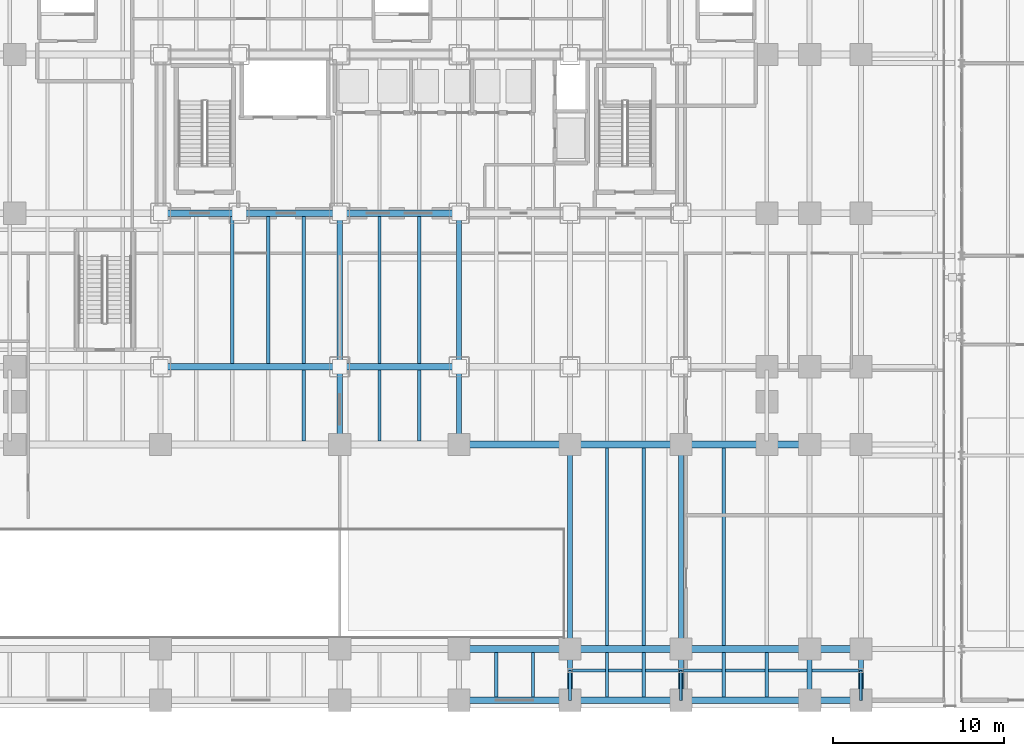
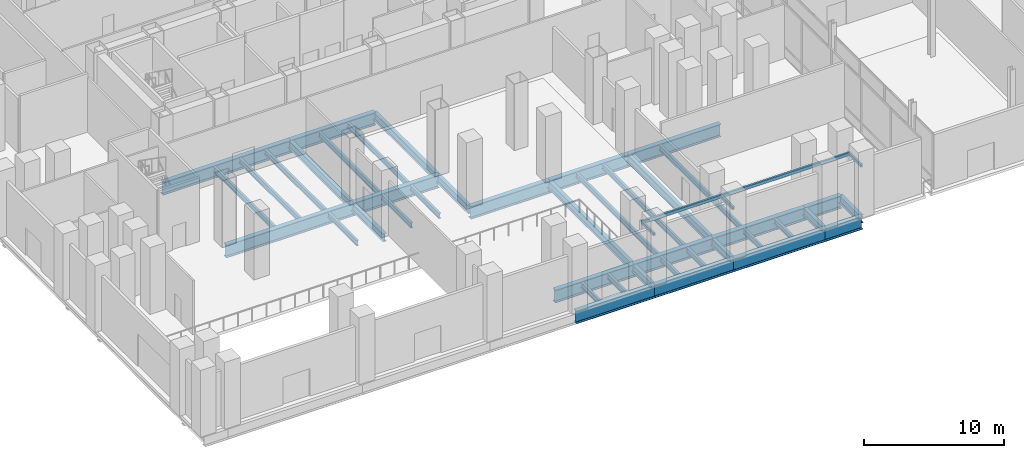
# One storey, part 7 of 36: 47 beams.
"""IFC4 building model written with IfcOpenShell, lengths in metres."""

from ifc_helpers import new_model, si_unit, direction, frame, origin, origin_2d, place, context, subcontext, project, spatial, hollow_rectangle, i_section, extrude, material, material_profile, profile_set, type_object, element, save


model = new_model("IFC4")

# Units and contexts
model_context = context("Model", 3, precision=1e-05, world=origin(), true_north=direction((0.0, 1.0)))
body_context = subcontext(model_context, "Body", "Model", "MODEL_VIEW")
ifc_project = project(units=[si_unit("LENGTHUNIT", "METRE"), si_unit("AREAUNIT", "SQUARE_METRE"), si_unit("VOLUMEUNIT", "CUBIC_METRE"), si_unit("PLANEANGLEUNIT", "RADIAN"), si_unit("MASSUNIT", "GRAM", prefix="KILO")], contexts=[model_context])

# Site, building, storey
site_placement = place(None, origin())
site = spatial("IfcSite", under=ifc_project, at=site_placement, CompositionType="ELEMENT")
building_placement = place(site_placement, origin())
building = spatial("IfcBuilding", under=site, at=building_placement, Name="Noeulbin Bourse Tower", CompositionType="ELEMENT")
storey_placement = place(building_placement, origin())
storey = spatial("IfcBuildingStorey", under=building, at=storey_placement, Name="L01", CompositionType="ELEMENT", Elevation=0.0)

# Beams
ifc_material_1 = material(Name="Steel S355", Category="steel")
ifc_material_profile_1 = material_profile(ifc_material_1, hollow_rectangle(XDim=0.179931640625, YDim=0.280029296875, WallThickness=0.011962890625, InnerFilletRadius=0.011962890625, OuterFilletRadius=0.02392578125, at=origin_2d()), Name="RHS-280x180x12", Category="LoadBearing")
ifc_profile_set_1 = profile_set([ifc_material_profile_1], Name="Steel S355")
beam_type_1 = type_object("IfcBeamType", Name="BM-CAN-280", PredefinedType="BEAM", material=ifc_profile_set_1)
beam_1_placement = place(storey_placement, frame((37.5, 2.199951171875, 4.06005859375), z_axis=(1.0, 0.0, 0.0), x_axis=(0.0, 1.0, 0.0)))
element("IfcBeam", 1, at=beam_1_placement, inside=storey, type_object=beam_type_1, Name="BM-L01-CAN-F1", PredefinedType="BEAM", context=body_context, shape_type="SweptSolid", body=[
    extrude(hollow_rectangle(XDim=0.179931640625, YDim=0.280029296875, WallThickness=0.011962890625, InnerFilletRadius=0.011962890625, OuterFilletRadius=0.02392578125, at=origin_2d()), origin(), (0.0, 0.0, 1.0), 6.5),
])
beam_2_placement = place(storey_placement, frame((44.0, 2.199951171875, 4.06005859375), z_axis=(1.0, 0.0, 0.0), x_axis=(0.0, 1.0, 0.0)))
element("IfcBeam", 2, at=beam_2_placement, inside=storey, type_object=beam_type_1, Name="BM-L01-CAN-F2", PredefinedType="BEAM", context=body_context, shape_type="SweptSolid", body=[
    extrude(hollow_rectangle(XDim=0.179931640625, YDim=0.280029296875, WallThickness=0.011962890625, InnerFilletRadius=0.011962890625, OuterFilletRadius=0.02392578125, at=origin_2d()), origin(), (0.0, 0.0, 1.0), 10.550048828125),
])
for number, where, z_axis, x_axis, name in (
    (3, (37.5, 0.449951171875, 4.06005859375), (0.0, 1.0, 0.0), (-1.0, 0.0, 0.0), "BM-L01-CAN-T1"),
    (4, (44.0, 0.449951171875, 4.06005859375), (0.0, 1.0, 0.0), (-1.0, 0.0, 0.0), "BM-L01-CAN-T2"),
    (5, (54.550048828125, 0.449951171875, 4.06005859375), (0.0, 1.0, 0.0), (-1.0, 0.0, 0.0), "BM-L01-CAN-T3"),
):
    element("IfcBeam", number, at=place(storey_placement, frame(where, z_axis=z_axis, x_axis=x_axis)), inside=storey, type_object=beam_type_1, Name=name, PredefinedType="BEAM", context=body_context, shape_type="SweptSolid", body=[
        extrude(hollow_rectangle(XDim=0.179931640625, YDim=0.280029296875, WallThickness=0.011962890625, InnerFilletRadius=0.011962890625, OuterFilletRadius=0.02392578125, at=origin_2d()), origin(), (0.0, 0.0, 1.0), 1.75),
    ])
ifc_material_profile_2 = material_profile(ifc_material_1, i_section(OverallWidth=0.300048828125, OverallDepth=0.699951171875, WebThickness=0.012939453125, FlangeThickness=0.02392578125, FilletRadius=0.02392578125, at=origin_2d()), Name="H-700x300x13x24", Category="LoadBearing")
ifc_profile_set_2 = profile_set([ifc_material_profile_2], Name="Steel S355")
beam_type_2 = type_object("IfcBeamType", Name="BM-GRD-700", PredefinedType="USERDEFINED", material=ifc_profile_set_2)
beam_3_placement = place(storey_placement, frame((24.0, 15.449951171875, -0.60009765625), z_axis=(0.0, 1.0, 0.0), x_axis=(-1.0, 0.0, 0.0)))
element("IfcBeam", 6, at=beam_3_placement, inside=storey, type_object=beam_type_2, Name="Podium Primary Girder NS L01-096", ObjectType="GIRDER", PredefinedType="USERDEFINED", context=body_context, shape_type="SweptSolid", body=[
    extrude(i_section(OverallWidth=0.300048828125, OverallDepth=0.699951171875, WebThickness=0.012939453125, FlangeThickness=0.02392578125, FilletRadius=0.02392578125, at=origin_2d()), origin(), (0.0, 0.0, 1.0), 4.550048828125),
])
beam_4_placement = place(storey_placement, frame((24.0, 20.0, -0.60009765625), z_axis=(0.0, 1.0, 0.0), x_axis=(-1.0, 0.0, 0.0)))
element("IfcBeam", 7, at=beam_4_placement, inside=storey, type_object=beam_type_2, Name="Podium Primary Girder NS L01-097", ObjectType="GIRDER", PredefinedType="USERDEFINED", context=body_context, shape_type="SweptSolid", body=[
    extrude(i_section(OverallWidth=0.300048828125, OverallDepth=0.699951171875, WebThickness=0.012939453125, FlangeThickness=0.02392578125, FilletRadius=0.02392578125, at=origin_2d()), origin(), (0.0, 0.0, 1.0), 9.0),
])
beam_5_placement = place(storey_placement, frame((31.0, 15.449951171875, -0.60009765625), z_axis=(0.0, 1.0, 0.0), x_axis=(-1.0, 0.0, 0.0)))
element("IfcBeam", 8, at=beam_5_placement, inside=storey, type_object=beam_type_2, Name="Podium Primary Girder NS L01-103", ObjectType="GIRDER", PredefinedType="USERDEFINED", context=body_context, shape_type="SweptSolid", body=[
    extrude(i_section(OverallWidth=0.300048828125, OverallDepth=0.699951171875, WebThickness=0.012939453125, FlangeThickness=0.02392578125, FilletRadius=0.02392578125, at=origin_2d()), origin(), (0.0, 0.0, 1.0), 4.550048828125),
])
beam_6_placement = place(storey_placement, frame((31.0, 20.0, -0.60009765625), z_axis=(0.0, 1.0, 0.0), x_axis=(-1.0, 0.0, 0.0)))
element("IfcBeam", 9, at=beam_6_placement, inside=storey, type_object=beam_type_2, Name="Podium Primary Girder NS L01-104", ObjectType="GIRDER", PredefinedType="USERDEFINED", context=body_context, shape_type="SweptSolid", body=[
    extrude(i_section(OverallWidth=0.300048828125, OverallDepth=0.699951171875, WebThickness=0.012939453125, FlangeThickness=0.02392578125, FilletRadius=0.02392578125, at=origin_2d()), origin(), (0.0, 0.0, 1.0), 9.0),
])
beam_7_placement = place(storey_placement, frame((37.5, 0.449951171875, -0.60009765625), z_axis=(0.0, 1.0, 0.0), x_axis=(-1.0, 0.0, 0.0)))
element("IfcBeam", 10, at=beam_7_placement, inside=storey, type_object=beam_type_2, Name="Podium Primary Girder NS L01-109", ObjectType="GIRDER", PredefinedType="USERDEFINED", context=body_context, shape_type="SweptSolid", body=[
    extrude(i_section(OverallWidth=0.300048828125, OverallDepth=0.699951171875, WebThickness=0.012939453125, FlangeThickness=0.02392578125, FilletRadius=0.02392578125, at=origin_2d()), origin(), (0.0, 0.0, 1.0), 3.0),
])
beam_8_placement = place(storey_placement, frame((37.5, 3.449951171875, -0.60009765625), z_axis=(0.0, 1.0, 0.0), x_axis=(-1.0, 0.0, 0.0)))
element("IfcBeam", 11, at=beam_8_placement, inside=storey, type_object=beam_type_2, Name="Podium Primary Girder NS L01-110", ObjectType="GIRDER", PredefinedType="USERDEFINED", context=body_context, shape_type="SweptSolid", body=[
    extrude(i_section(OverallWidth=0.300048828125, OverallDepth=0.699951171875, WebThickness=0.012939453125, FlangeThickness=0.02392578125, FilletRadius=0.02392578125, at=origin_2d()), origin(), (0.0, 0.0, 1.0), 12.0),
])
beam_9_placement = place(storey_placement, frame((44.0, 0.449951171875, -0.60009765625), z_axis=(0.0, 1.0, 0.0), x_axis=(-1.0, 0.0, 0.0)))
element("IfcBeam", 12, at=beam_9_placement, inside=storey, type_object=beam_type_2, Name="Podium Primary Girder NS L01-116", ObjectType="GIRDER", PredefinedType="USERDEFINED", context=body_context, shape_type="SweptSolid", body=[
    extrude(i_section(OverallWidth=0.300048828125, OverallDepth=0.699951171875, WebThickness=0.012939453125, FlangeThickness=0.02392578125, FilletRadius=0.02392578125, at=origin_2d()), origin(), (0.0, 0.0, 1.0), 3.0),
])
beam_10_placement = place(storey_placement, frame((44.0, 3.449951171875, -0.60009765625), z_axis=(0.0, 1.0, 0.0), x_axis=(-1.0, 0.0, 0.0)))
element("IfcBeam", 13, at=beam_10_placement, inside=storey, type_object=beam_type_2, Name="Podium Primary Girder NS L01-117", ObjectType="GIRDER", PredefinedType="USERDEFINED", context=body_context, shape_type="SweptSolid", body=[
    extrude(i_section(OverallWidth=0.300048828125, OverallDepth=0.699951171875, WebThickness=0.012939453125, FlangeThickness=0.02392578125, FilletRadius=0.02392578125, at=origin_2d()), origin(), (0.0, 0.0, 1.0), 12.0),
])
for number, where, z_axis, x_axis, name in (
    (14, (51.550048828125, 0.449951171875, -0.60009765625), (0.0, 1.0, 0.0), (-1.0, 0.0, 0.0), "Podium Primary Girder NS L01-124"),
    (15, (54.550048828125, 0.449951171875, -0.60009765625), (0.0, 1.0, 0.0), (-1.0, 0.0, 0.0), "Podium Primary Girder NS L01-132"),
):
    element("IfcBeam", number, at=place(storey_placement, frame(where, z_axis=z_axis, x_axis=x_axis)), inside=storey, type_object=beam_type_2, Name=name, ObjectType="GIRDER", PredefinedType="USERDEFINED", context=body_context, shape_type="SweptSolid", body=[
        extrude(i_section(OverallWidth=0.300048828125, OverallDepth=0.699951171875, WebThickness=0.012939453125, FlangeThickness=0.02392578125, FilletRadius=0.02392578125, at=origin_2d()), origin(), (0.0, 0.0, 1.0), 3.0),
    ])
ifc_material_profile_3 = material_profile(ifc_material_1, i_section(OverallWidth=0.199951171875, OverallDepth=0.449951171875, WebThickness=0.009033203125, FlangeThickness=0.013916015625, FilletRadius=0.01806640625, at=origin_2d()), Name="H-450x200x9x14", Category="LoadBearing")
ifc_profile_set_3 = profile_set([ifc_material_profile_3], Name="Steel S355")
beam_type_3 = type_object("IfcBeamType", Name="BM-SEC-450", PredefinedType="BEAM", material=ifc_profile_set_3)
for number, where, z_axis, x_axis, name in (
    (16, (17.699951171875, 20.199951171875, -0.47509765625), (0.0, 1.0, 0.0), (-1.0, 0.0, 0.0), "Podium Secondary Beam L01-035"),
    (17, (19.800048828125, 20.199951171875, -0.47509765625), (0.0, 1.0, 0.0), (-1.0, 0.0, 0.0), "Podium Secondary Beam L01-041"),
):
    element("IfcBeam", number, at=place(storey_placement, frame(where, z_axis=z_axis, x_axis=x_axis)), inside=storey, type_object=beam_type_3, Name=name, PredefinedType="BEAM", context=body_context, shape_type="SweptSolid", body=[
        extrude(i_section(OverallWidth=0.199951171875, OverallDepth=0.449951171875, WebThickness=0.009033203125, FlangeThickness=0.013916015625, FilletRadius=0.01806640625, at=origin_2d()), origin(), (0.0, 0.0, 1.0), 8.60009765625),
    ])
beam_11_placement = place(storey_placement, frame((21.89990234375, 15.64990234375, -0.47509765625), z_axis=(0.0, 1.0, 0.0), x_axis=(-1.0, 0.0, 0.0)))
element("IfcBeam", 18, at=beam_11_placement, inside=storey, type_object=beam_type_3, Name="Podium Secondary Beam L01-046", PredefinedType="BEAM", context=body_context, shape_type="SweptSolid", body=[
    extrude(i_section(OverallWidth=0.199951171875, OverallDepth=0.449951171875, WebThickness=0.009033203125, FlangeThickness=0.013916015625, FilletRadius=0.01806640625, at=origin_2d()), origin(), (0.0, 0.0, 1.0), 4.150146484375),
])
beam_12_placement = place(storey_placement, frame((21.89990234375, 20.199951171875, -0.47509765625), z_axis=(0.0, 1.0, 0.0), x_axis=(-1.0, 0.0, 0.0)))
element("IfcBeam", 19, at=beam_12_placement, inside=storey, type_object=beam_type_3, Name="Podium Secondary Beam L01-047", PredefinedType="BEAM", context=body_context, shape_type="SweptSolid", body=[
    extrude(i_section(OverallWidth=0.199951171875, OverallDepth=0.449951171875, WebThickness=0.009033203125, FlangeThickness=0.013916015625, FilletRadius=0.01806640625, at=origin_2d()), origin(), (0.0, 0.0, 1.0), 8.60009765625),
])
beam_13_placement = place(storey_placement, frame((26.333251953125, 15.64990234375, -0.47509765625), z_axis=(0.0, 1.0, 0.0), x_axis=(-1.0, 0.0, 0.0)))
element("IfcBeam", 20, at=beam_13_placement, inside=storey, type_object=beam_type_3, Name="Podium Secondary Beam L01-052", PredefinedType="BEAM", context=body_context, shape_type="SweptSolid", body=[
    extrude(i_section(OverallWidth=0.199951171875, OverallDepth=0.449951171875, WebThickness=0.009033203125, FlangeThickness=0.013916015625, FilletRadius=0.01806640625, at=origin_2d()), origin(), (0.0, 0.0, 1.0), 4.150146484375),
])
beam_14_placement = place(storey_placement, frame((26.333251953125, 20.199951171875, -0.47509765625), z_axis=(0.0, 1.0, 0.0), x_axis=(-1.0, 0.0, 0.0)))
element("IfcBeam", 21, at=beam_14_placement, inside=storey, type_object=beam_type_3, Name="Podium Secondary Beam L01-053", PredefinedType="BEAM", context=body_context, shape_type="SweptSolid", body=[
    extrude(i_section(OverallWidth=0.199951171875, OverallDepth=0.449951171875, WebThickness=0.009033203125, FlangeThickness=0.013916015625, FilletRadius=0.01806640625, at=origin_2d()), origin(), (0.0, 0.0, 1.0), 8.60009765625),
])
beam_15_placement = place(storey_placement, frame((28.666748046875, 15.64990234375, -0.47509765625), z_axis=(0.0, 1.0, 0.0), x_axis=(-1.0, 0.0, 0.0)))
element("IfcBeam", 22, at=beam_15_placement, inside=storey, type_object=beam_type_3, Name="Podium Secondary Beam L01-058", PredefinedType="BEAM", context=body_context, shape_type="SweptSolid", body=[
    extrude(i_section(OverallWidth=0.199951171875, OverallDepth=0.449951171875, WebThickness=0.009033203125, FlangeThickness=0.013916015625, FilletRadius=0.01806640625, at=origin_2d()), origin(), (0.0, 0.0, 1.0), 4.150146484375),
])
beam_16_placement = place(storey_placement, frame((28.666748046875, 20.199951171875, -0.47509765625), z_axis=(0.0, 1.0, 0.0), x_axis=(-1.0, 0.0, 0.0)))
element("IfcBeam", 23, at=beam_16_placement, inside=storey, type_object=beam_type_3, Name="Podium Secondary Beam L01-059", PredefinedType="BEAM", context=body_context, shape_type="SweptSolid", body=[
    extrude(i_section(OverallWidth=0.199951171875, OverallDepth=0.449951171875, WebThickness=0.009033203125, FlangeThickness=0.013916015625, FilletRadius=0.01806640625, at=origin_2d()), origin(), (0.0, 0.0, 1.0), 8.60009765625),
])
for number, where, z_axis, x_axis, name in (
    (24, (33.166748046875, 0.64990234375, -0.47509765625), (0.0, 1.0, 0.0), (-1.0, 0.0, 0.0), "Podium Secondary Beam L01-063"),
    (25, (35.333251953125, 0.64990234375, -0.47509765625), (0.0, 1.0, 0.0), (-1.0, 0.0, 0.0), "Podium Secondary Beam L01-070"),
    (26, (39.666748046875, 0.64990234375, -0.47509765625), (0.0, 1.0, 0.0), (-1.0, 0.0, 0.0), "Podium Secondary Beam L01-077"),
):
    element("IfcBeam", number, at=place(storey_placement, frame(where, z_axis=z_axis, x_axis=x_axis)), inside=storey, type_object=beam_type_3, Name=name, PredefinedType="BEAM", context=body_context, shape_type="SweptSolid", body=[
        extrude(i_section(OverallWidth=0.199951171875, OverallDepth=0.449951171875, WebThickness=0.009033203125, FlangeThickness=0.013916015625, FilletRadius=0.01806640625, at=origin_2d()), origin(), (0.0, 0.0, 1.0), 2.60009765625),
    ])
beam_17_placement = place(storey_placement, frame((39.666748046875, 3.64990234375, -0.47509765625), z_axis=(0.0, 1.0, 0.0), x_axis=(-1.0, 0.0, 0.0)))
element("IfcBeam", 27, at=beam_17_placement, inside=storey, type_object=beam_type_3, Name="Podium Secondary Beam L01-078", PredefinedType="BEAM", context=body_context, shape_type="SweptSolid", body=[
    extrude(i_section(OverallWidth=0.199951171875, OverallDepth=0.449951171875, WebThickness=0.009033203125, FlangeThickness=0.013916015625, FilletRadius=0.01806640625, at=origin_2d()), origin(), (0.0, 0.0, 1.0), 11.60009765625),
])
beam_18_placement = place(storey_placement, frame((41.833251953125, 0.64990234375, -0.47509765625), z_axis=(0.0, 1.0, 0.0), x_axis=(-1.0, 0.0, 0.0)))
element("IfcBeam", 28, at=beam_18_placement, inside=storey, type_object=beam_type_3, Name="Podium Secondary Beam L01-084", PredefinedType="BEAM", context=body_context, shape_type="SweptSolid", body=[
    extrude(i_section(OverallWidth=0.199951171875, OverallDepth=0.449951171875, WebThickness=0.009033203125, FlangeThickness=0.013916015625, FilletRadius=0.01806640625, at=origin_2d()), origin(), (0.0, 0.0, 1.0), 2.60009765625),
])
beam_19_placement = place(storey_placement, frame((41.833251953125, 3.64990234375, -0.47509765625), z_axis=(0.0, 1.0, 0.0), x_axis=(-1.0, 0.0, 0.0)))
element("IfcBeam", 29, at=beam_19_placement, inside=storey, type_object=beam_type_3, Name="Podium Secondary Beam L01-085", PredefinedType="BEAM", context=body_context, shape_type="SweptSolid", body=[
    extrude(i_section(OverallWidth=0.199951171875, OverallDepth=0.449951171875, WebThickness=0.009033203125, FlangeThickness=0.013916015625, FilletRadius=0.01806640625, at=origin_2d()), origin(), (0.0, 0.0, 1.0), 11.60009765625),
])
beam_20_placement = place(storey_placement, frame((46.5166015625, 0.64990234375, -0.47509765625), z_axis=(0.0, 1.0, 0.0), x_axis=(-1.0, 0.0, 0.0)))
element("IfcBeam", 30, at=beam_20_placement, inside=storey, type_object=beam_type_3, Name="Podium Secondary Beam L01-091", PredefinedType="BEAM", context=body_context, shape_type="SweptSolid", body=[
    extrude(i_section(OverallWidth=0.199951171875, OverallDepth=0.449951171875, WebThickness=0.009033203125, FlangeThickness=0.013916015625, FilletRadius=0.01806640625, at=origin_2d()), origin(), (0.0, 0.0, 1.0), 2.60009765625),
])
beam_21_placement = place(storey_placement, frame((46.5166015625, 3.64990234375, -0.47509765625), z_axis=(0.0, 1.0, 0.0), x_axis=(-1.0, 0.0, 0.0)))
element("IfcBeam", 31, at=beam_21_placement, inside=storey, type_object=beam_type_3, Name="Podium Secondary Beam L01-092", PredefinedType="BEAM", context=body_context, shape_type="SweptSolid", body=[
    extrude(i_section(OverallWidth=0.199951171875, OverallDepth=0.449951171875, WebThickness=0.009033203125, FlangeThickness=0.013916015625, FilletRadius=0.01806640625, at=origin_2d()), origin(), (0.0, 0.0, 1.0), 11.60009765625),
])
beam_22_placement = place(storey_placement, frame((49.033203125, 0.64990234375, -0.47509765625), z_axis=(0.0, 1.0, 0.0), x_axis=(-1.0, 0.0, 0.0)))
element("IfcBeam", 32, at=beam_22_placement, inside=storey, type_object=beam_type_3, Name="Podium Secondary Beam L01-098", PredefinedType="BEAM", context=body_context, shape_type="SweptSolid", body=[
    extrude(i_section(OverallWidth=0.199951171875, OverallDepth=0.449951171875, WebThickness=0.009033203125, FlangeThickness=0.013916015625, FilletRadius=0.01806640625, at=origin_2d()), origin(), (0.0, 0.0, 1.0), 2.60009765625),
])
ifc_material_2 = material(Name="Steel S460", Category="steel")
ifc_material_profile_4 = material_profile(ifc_material_2, i_section(OverallWidth=0.39990234375, OverallDepth=1.10009765625, WebThickness=0.02001953125, FlangeThickness=0.035888671875, FilletRadius=0.02392578125, at=origin_2d()), Name="PG-1100x400x20x36", Category="LoadBearing")
ifc_profile_set_4 = profile_set([ifc_material_profile_4], Name="Steel S460")
beam_type_4 = type_object("IfcBeamType", Name="BM-TRF-1100", PredefinedType="USERDEFINED", material=ifc_profile_set_4)
for number, where, z_axis, x_axis, name in (
    (33, (31.0, 0.449951171875, -0.800048828125), (1.0, 0.0, 0.0), (0.0, 1.0, 0.0), "Podium Primary Girder EW L01-005"),
    (34, (37.5, 0.449951171875, -0.800048828125), (1.0, 0.0, 0.0), (0.0, 1.0, 0.0), "Podium Primary Girder EW L01-006"),
):
    element("IfcBeam", number, at=place(storey_placement, frame(where, z_axis=z_axis, x_axis=x_axis)), inside=storey, type_object=beam_type_4, Name=name, ObjectType="GIRDER", PredefinedType="USERDEFINED", context=body_context, shape_type="SweptSolid", body=[
        extrude(i_section(OverallWidth=0.39990234375, OverallDepth=1.10009765625, WebThickness=0.02001953125, FlangeThickness=0.035888671875, FilletRadius=0.02392578125, at=origin_2d()), origin(), (0.0, 0.0, 1.0), 6.5),
    ])
beam_23_placement = place(storey_placement, frame((44.0, 0.449951171875, -0.800048828125), z_axis=(1.0, 0.0, 0.0), x_axis=(0.0, 1.0, 0.0)))
element("IfcBeam", 35, at=beam_23_placement, inside=storey, type_object=beam_type_4, Name="Podium Primary Girder EW L01-007", ObjectType="GIRDER", PredefinedType="USERDEFINED", context=body_context, shape_type="SweptSolid", body=[
    extrude(i_section(OverallWidth=0.39990234375, OverallDepth=1.10009765625, WebThickness=0.02001953125, FlangeThickness=0.035888671875, FilletRadius=0.02392578125, at=origin_2d()), origin(), (0.0, 0.0, 1.0), 7.550048828125),
])
beam_24_placement = place(storey_placement, frame((51.550048828125, 0.449951171875, -0.800048828125), z_axis=(1.0, 0.0, 0.0), x_axis=(0.0, 1.0, 0.0)))
element("IfcBeam", 36, at=beam_24_placement, inside=storey, type_object=beam_type_4, Name="Podium Primary Girder EW L01-008", ObjectType="GIRDER", PredefinedType="USERDEFINED", context=body_context, shape_type="SweptSolid", body=[
    extrude(i_section(OverallWidth=0.39990234375, OverallDepth=1.10009765625, WebThickness=0.02001953125, FlangeThickness=0.035888671875, FilletRadius=0.02392578125, at=origin_2d()), origin(), (0.0, 0.0, 1.0), 3.0),
])
for number, where, z_axis, x_axis, name in (
    (37, (31.0, 3.449951171875, -0.800048828125), (1.0, 0.0, 0.0), (0.0, 1.0, 0.0), "Podium Primary Girder EW L01-013"),
    (38, (37.5, 3.449951171875, -0.800048828125), (1.0, 0.0, 0.0), (0.0, 1.0, 0.0), "Podium Primary Girder EW L01-014"),
):
    element("IfcBeam", number, at=place(storey_placement, frame(where, z_axis=z_axis, x_axis=x_axis)), inside=storey, type_object=beam_type_4, Name=name, ObjectType="GIRDER", PredefinedType="USERDEFINED", context=body_context, shape_type="SweptSolid", body=[
        extrude(i_section(OverallWidth=0.39990234375, OverallDepth=1.10009765625, WebThickness=0.02001953125, FlangeThickness=0.035888671875, FilletRadius=0.02392578125, at=origin_2d()), origin(), (0.0, 0.0, 1.0), 6.5),
    ])
beam_25_placement = place(storey_placement, frame((44.0, 3.449951171875, -0.800048828125), z_axis=(1.0, 0.0, 0.0), x_axis=(0.0, 1.0, 0.0)))
element("IfcBeam", 39, at=beam_25_placement, inside=storey, type_object=beam_type_4, Name="Podium Primary Girder EW L01-015", ObjectType="GIRDER", PredefinedType="USERDEFINED", context=body_context, shape_type="SweptSolid", body=[
    extrude(i_section(OverallWidth=0.39990234375, OverallDepth=1.10009765625, WebThickness=0.02001953125, FlangeThickness=0.035888671875, FilletRadius=0.02392578125, at=origin_2d()), origin(), (0.0, 0.0, 1.0), 7.550048828125),
])
beam_26_placement = place(storey_placement, frame((51.550048828125, 3.449951171875, -0.800048828125), z_axis=(1.0, 0.0, 0.0), x_axis=(0.0, 1.0, 0.0)))
element("IfcBeam", 40, at=beam_26_placement, inside=storey, type_object=beam_type_4, Name="Podium Primary Girder EW L01-016", ObjectType="GIRDER", PredefinedType="USERDEFINED", context=body_context, shape_type="SweptSolid", body=[
    extrude(i_section(OverallWidth=0.39990234375, OverallDepth=1.10009765625, WebThickness=0.02001953125, FlangeThickness=0.035888671875, FilletRadius=0.02392578125, at=origin_2d()), origin(), (0.0, 0.0, 1.0), 3.0),
])
for number, where, z_axis, x_axis, name in (
    (41, (31.0, 15.449951171875, -0.800048828125), (1.0, 0.0, 0.0), (0.0, 1.0, 0.0), "Podium Primary Girder EW L01-021"),
    (42, (37.5, 15.449951171875, -0.800048828125), (1.0, 0.0, 0.0), (0.0, 1.0, 0.0), "Podium Primary Girder EW L01-022"),
):
    element("IfcBeam", number, at=place(storey_placement, frame(where, z_axis=z_axis, x_axis=x_axis)), inside=storey, type_object=beam_type_4, Name=name, ObjectType="GIRDER", PredefinedType="USERDEFINED", context=body_context, shape_type="SweptSolid", body=[
        extrude(i_section(OverallWidth=0.39990234375, OverallDepth=1.10009765625, WebThickness=0.02001953125, FlangeThickness=0.035888671875, FilletRadius=0.02392578125, at=origin_2d()), origin(), (0.0, 0.0, 1.0), 6.5),
    ])
beam_27_placement = place(storey_placement, frame((44.0, 15.449951171875, -0.800048828125), z_axis=(1.0, 0.0, 0.0), x_axis=(0.0, 1.0, 0.0)))
element("IfcBeam", 43, at=beam_27_placement, inside=storey, type_object=beam_type_4, Name="Podium Primary Girder EW L01-023", ObjectType="GIRDER", PredefinedType="USERDEFINED", context=body_context, shape_type="SweptSolid", body=[
    extrude(i_section(OverallWidth=0.39990234375, OverallDepth=1.10009765625, WebThickness=0.02001953125, FlangeThickness=0.035888671875, FilletRadius=0.02392578125, at=origin_2d()), origin(), (0.0, 0.0, 1.0), 7.550048828125),
])
beam_28_placement = place(storey_placement, frame((13.5, 20.0, -0.800048828125), z_axis=(1.0, 0.0, 0.0), x_axis=(0.0, 1.0, 0.0)))
element("IfcBeam", 44, at=beam_28_placement, inside=storey, type_object=beam_type_4, Name="Podium Primary Girder EW L01-027", ObjectType="GIRDER", PredefinedType="USERDEFINED", context=body_context, shape_type="SweptSolid", body=[
    extrude(i_section(OverallWidth=0.39990234375, OverallDepth=1.10009765625, WebThickness=0.02001953125, FlangeThickness=0.035888671875, FilletRadius=0.02392578125, at=origin_2d()), origin(), (0.0, 0.0, 1.0), 10.5),
])
beam_29_placement = place(storey_placement, frame((24.0, 20.0, -0.800048828125), z_axis=(1.0, 0.0, 0.0), x_axis=(0.0, 1.0, 0.0)))
element("IfcBeam", 45, at=beam_29_placement, inside=storey, type_object=beam_type_4, Name="Podium Primary Girder EW L01-028", ObjectType="GIRDER", PredefinedType="USERDEFINED", context=body_context, shape_type="SweptSolid", body=[
    extrude(i_section(OverallWidth=0.39990234375, OverallDepth=1.10009765625, WebThickness=0.02001953125, FlangeThickness=0.035888671875, FilletRadius=0.02392578125, at=origin_2d()), origin(), (0.0, 0.0, 1.0), 7.0),
])
beam_30_placement = place(storey_placement, frame((13.5, 29.0, -0.800048828125), z_axis=(1.0, 0.0, 0.0), x_axis=(0.0, 1.0, 0.0)))
element("IfcBeam", 46, at=beam_30_placement, inside=storey, type_object=beam_type_4, Name="Podium Primary Girder EW L01-035", ObjectType="GIRDER", PredefinedType="USERDEFINED", context=body_context, shape_type="SweptSolid", body=[
    extrude(i_section(OverallWidth=0.39990234375, OverallDepth=1.10009765625, WebThickness=0.02001953125, FlangeThickness=0.035888671875, FilletRadius=0.02392578125, at=origin_2d()), origin(), (0.0, 0.0, 1.0), 10.5),
])
beam_31_placement = place(storey_placement, frame((24.0, 29.0, -0.800048828125), z_axis=(1.0, 0.0, 0.0), x_axis=(0.0, 1.0, 0.0)))
element("IfcBeam", 47, at=beam_31_placement, inside=storey, type_object=beam_type_4, Name="Podium Primary Girder EW L01-036", ObjectType="GIRDER", PredefinedType="USERDEFINED", context=body_context, shape_type="SweptSolid", body=[
    extrude(i_section(OverallWidth=0.39990234375, OverallDepth=1.10009765625, WebThickness=0.02001953125, FlangeThickness=0.035888671875, FilletRadius=0.02392578125, at=origin_2d()), origin(), (0.0, 0.0, 1.0), 7.0),
])

save(model, "model.ifc")
